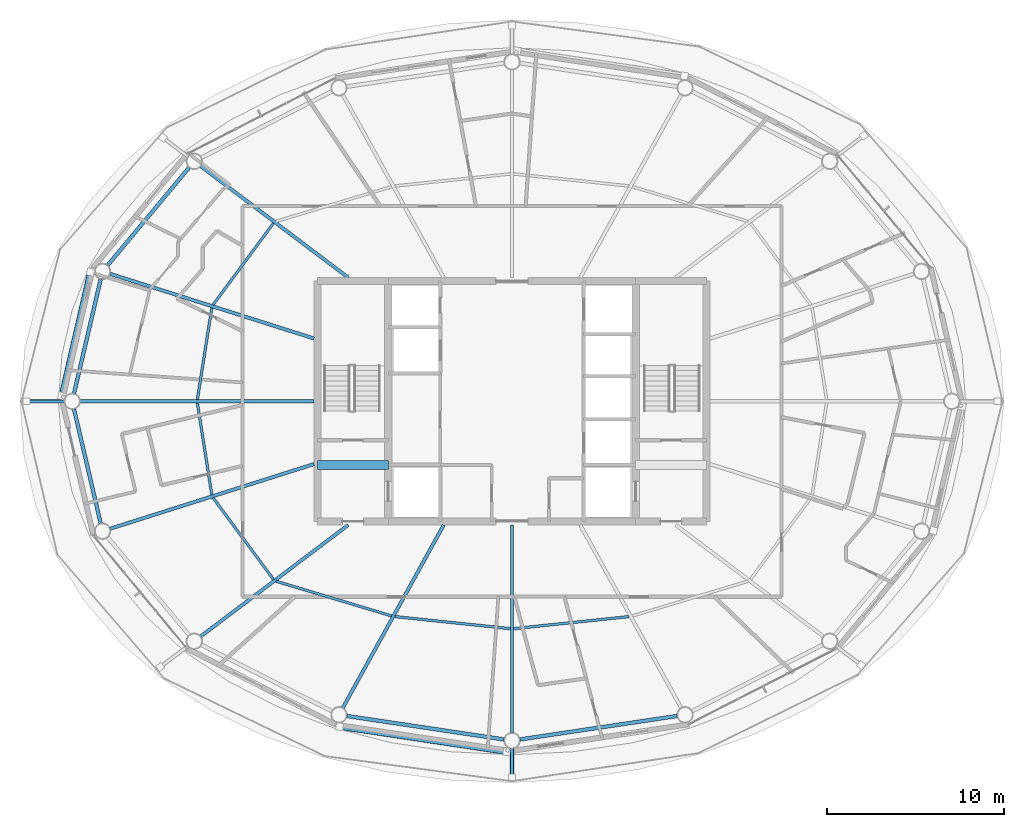
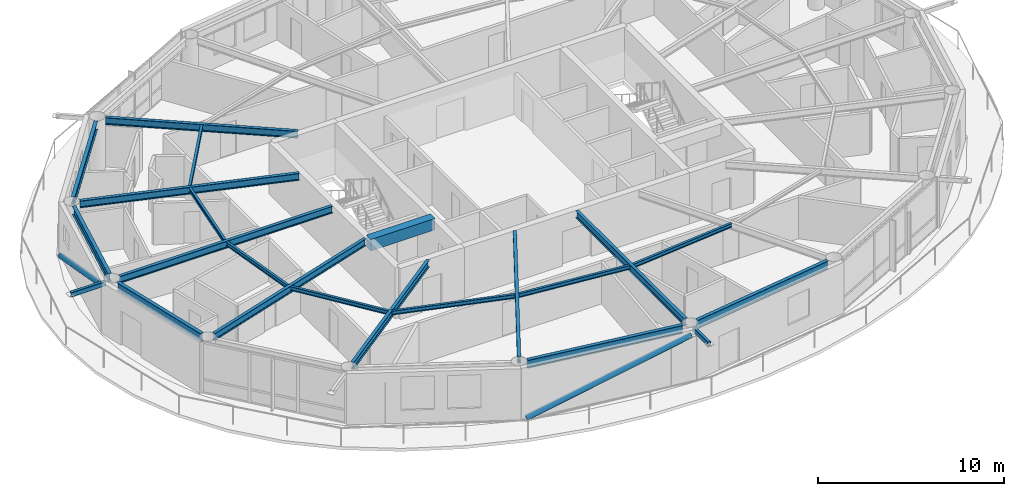
# One storey, part 4 of 22: 20 beams, 4 members.
"""IFC4 building model written with IfcOpenShell, lengths in metres."""

from ifc_helpers import new_model, si_unit, direction, frame, origin, origin_2d, place, context, subcontext, project, spatial, rectangle, hollow_rectangle, hollow_circle, i_section, extrude, material, material_profile, profile_set, type_object, element, save


model = new_model("IFC4")

# Units and contexts
model_context = context("Model", 3, precision=1e-05, world=origin(), true_north=direction((0.0, 1.0)))
body_context = subcontext(model_context, "Body", "Model", "MODEL_VIEW")
ifc_project = project(units=[si_unit("LENGTHUNIT", "METRE"), si_unit("AREAUNIT", "SQUARE_METRE"), si_unit("VOLUMEUNIT", "CUBIC_METRE"), si_unit("PLANEANGLEUNIT", "RADIAN"), si_unit("MASSUNIT", "GRAM", prefix="KILO")], contexts=[model_context])

# Site, building, storey
site_placement = place(None, origin())
site = spatial("IfcSite", under=ifc_project, at=site_placement, CompositionType="ELEMENT")
building_placement = place(site_placement, origin())
building = spatial("IfcBuilding", under=site, at=building_placement, Name="Sarneth Arch Tower", CompositionType="ELEMENT")
storey_placement = place(building_placement, frame((0.0, 0.0, 213.60009765625)))
storey = spatial("IfcBuildingStorey", under=building, at=storey_placement, Name="L54", CompositionType="ELEMENT", Elevation=213.60009765625)

# Beams
ifc_material_1 = material(Name="Steel S355", Category="steel")
ifc_material_profile_1 = material_profile(ifc_material_1, i_section(OverallWidth=0.14794921875, OverallDepth=0.26611328125, WebThickness=0.007568359375, FlangeThickness=0.012939453125, FilletRadius=0.012939453125, at=origin_2d()), Name="W250x44.8")
ifc_profile_set_1 = profile_set([ifc_material_profile_1], Name="Steel S355")
beam_type_1 = type_object("IfcBeamType", Name="BM-JOIST-250", PredefinedType="JOIST", material=ifc_profile_set_1)
beam_1_placement = place(storey_placement, frame((34.5009765625, 52.075439453125, 3.226806640625), z_axis=(-0.594557229879, -0.804053294501, 0.0), x_axis=(0.804053294501, -0.594557229879, 0.0)))
element("IfcBeam", 1, at=beam_1_placement, inside=storey, type_object=beam_type_1, Name="L54 Secondary floor joist 07", PredefinedType="JOIST", context=body_context, shape_type="SweptSolid", body=[
    extrude(i_section(OverallWidth=0.14794921875, OverallDepth=0.26611328125, WebThickness=0.007568359375, FlangeThickness=0.012939453125, FilletRadius=0.012939453125, at=origin_2d()), origin(), (0.0, 0.0, 1.0), 5.74169921875),
])
for number, where, z_axis, x_axis, name in (
    (2, (31.01513671875, 47.286865234375, 3.226806640625), (-0.155421095795, -0.987848309702, 0.0), (0.987848309702, -0.155421095795, 0.0), "L54 Secondary floor joist 08"),
    (3, (30.1982421875, 41.9052734375, 3.226806640625), (0.155421095795, -0.987848309702, 0.0), (0.987848309702, 0.155421095795, 0.0), "L54 Secondary floor joist 09"),
):
    element("IfcBeam", number, at=place(storey_placement, frame(where, z_axis=z_axis, x_axis=x_axis)), inside=storey, type_object=beam_type_1, Name=name, PredefinedType="JOIST", context=body_context, shape_type="SweptSolid", body=[
        extrude(i_section(OverallWidth=0.14794921875, OverallDepth=0.26611328125, WebThickness=0.007568359375, FlangeThickness=0.012939453125, FilletRadius=0.012939453125, at=origin_2d()), origin(), (0.0, 0.0, 1.0), 5.256103515625),
    ])
beam_2_placement = place(storey_placement, frame((31.087158203125, 36.541259765625, 3.226806640625), z_axis=(0.594557229879, -0.804053294501, 0.0), x_axis=(0.804053294501, 0.594557229879, 0.0)))
element("IfcBeam", 4, at=beam_2_placement, inside=storey, type_object=beam_type_1, Name="L54 Secondary floor joist 10", PredefinedType="JOIST", context=body_context, shape_type="SweptSolid", body=[
    extrude(i_section(OverallWidth=0.14794921875, OverallDepth=0.26611328125, WebThickness=0.007568359375, FlangeThickness=0.012939453125, FilletRadius=0.012939453125, at=origin_2d()), origin(), (0.0, 0.0, 1.0), 5.74169921875),
])
beam_3_placement = place(storey_placement, frame((34.64990234375, 31.81982421875, 3.226806640625), z_axis=(0.957725851155, -0.287682453461, 0.0), x_axis=(0.287682453461, 0.957725851155, 0.0)))
element("IfcBeam", 5, at=beam_3_placement, inside=storey, type_object=beam_type_1, Name="L54 Secondary floor joist 11", PredefinedType="JOIST", context=body_context, shape_type="SweptSolid", body=[
    extrude(i_section(OverallWidth=0.14794921875, OverallDepth=0.26611328125, WebThickness=0.007568359375, FlangeThickness=0.012939453125, FilletRadius=0.012939453125, at=origin_2d()), origin(), (0.0, 0.0, 1.0), 6.828125),
])
for number, where, z_axis, x_axis, name in (
    (6, (41.376953125, 29.81787109375, 3.226806640625), (0.994572713015, -0.104043829835, 0.0), (0.104043829835, 0.994572713015, 0.0), "L54 Secondary floor joist 12"),
    (7, (48.095458984375, 29.135009765625, 3.226806640625), (0.994572713015, 0.104043829835, 0.0), (-0.104043829835, 0.994572713015, 0.0), "L54 Secondary floor joist 13"),
):
    element("IfcBeam", number, at=place(storey_placement, frame(where, z_axis=z_axis, x_axis=x_axis)), inside=storey, type_object=beam_type_1, Name=name, PredefinedType="JOIST", context=body_context, shape_type="SweptSolid", body=[
        extrude(i_section(OverallWidth=0.14794921875, OverallDepth=0.26611328125, WebThickness=0.007568359375, FlangeThickness=0.012939453125, FilletRadius=0.012939453125, at=origin_2d()), origin(), (0.0, 0.0, 1.0), 6.563232421875),
    ])
ifc_material_2 = material(Name="Concrete C50/60", Category="concrete")
ifc_material_profile_2 = material_profile(ifc_material_2, rectangle(XDim=0.5, YDim=0.75, at=origin_2d()), Name="RC-500x750")
ifc_profile_set_2 = profile_set([ifc_material_profile_2], Name="Concrete C50/60")
beam_type_2 = type_object("IfcBeamType", Name="BM-LINTEL-RC", PredefinedType="LINTEL", material=ifc_profile_set_2)
beam_4_placement = place(storey_placement, frame((37.0, 38.39990234375, 2.98486328125), z_axis=(1.0, 0.0, 0.0), x_axis=(0.0, 1.0, 0.0)))
element("IfcBeam", 8, at=beam_4_placement, inside=storey, type_object=beam_type_2, Name="L54 Core coupling lintel W", PredefinedType="LINTEL", context=body_context, shape_type="SweptSolid", body=[
    extrude(rectangle(XDim=0.5, YDim=0.75, at=origin_2d()), origin(), (0.0, 0.0, 1.0), 4.0),
])
ifc_material_3 = material(Name="Steel S355", Category="steel")
ifc_material_profile_3 = material_profile(ifc_material_3, i_section(OverallWidth=0.19189453125, OverallDepth=0.462890625, WebThickness=0.010498046875, FlangeThickness=0.017578125, FilletRadius=0.01806640625, at=origin_2d()), Name="W460x89")
ifc_profile_set_3 = profile_set([ifc_material_profile_3], Name="Steel S355")
beam_type_3 = type_object("IfcBeamType", Name="BM-RAD-460B", PredefinedType="BEAM", material=ifc_profile_set_3)
beam_5_placement = place(storey_placement, frame((38.73193359375, 49.0, 3.12841796875), z_axis=(-0.79797356997, 0.602692443647, 0.0), x_axis=(-0.602692443647, -0.79797356997, 0.0)))
element("IfcBeam", 9, at=beam_5_placement, inside=storey, type_object=beam_type_3, Name="L54 Radial floor girder 07", PredefinedType="BEAM", context=body_context, shape_type="SweptSolid", body=[
    extrude(i_section(OverallWidth=0.19189453125, OverallDepth=0.462890625, WebThickness=0.010498046875, FlangeThickness=0.017578125, FilletRadius=0.01806640625, at=origin_2d()), origin(), (0.0, 0.0, 1.0), 10.461669921875),
])
beam_6_placement = place(storey_placement, frame((36.800048828125, 45.5517578125, 3.12841796875), z_axis=(-0.953215615433, 0.302291234563, 0.0), x_axis=(-0.302291234563, -0.953215615433, 0.0)))
element("IfcBeam", 10, at=beam_6_placement, inside=storey, type_object=beam_type_3, Name="L54 Radial floor girder 08", PredefinedType="BEAM", context=body_context, shape_type="SweptSolid", body=[
    extrude(i_section(OverallWidth=0.19189453125, OverallDepth=0.462890625, WebThickness=0.010498046875, FlangeThickness=0.017578125, FilletRadius=0.01806640625, at=origin_2d()), origin(), (0.0, 0.0, 1.0), 12.1064453125),
])
beam_7_placement = place(storey_placement, frame((36.800048828125, 42.0, 3.12841796875), z_axis=(-1.0, 0.0, 0.0), x_axis=(0.0, -1.0, 0.0)))
element("IfcBeam", 11, at=beam_7_placement, inside=storey, type_object=beam_type_3, Name="L54 Radial floor girder 09", PredefinedType="BEAM", context=body_context, shape_type="SweptSolid", body=[
    extrude(i_section(OverallWidth=0.19189453125, OverallDepth=0.462890625, WebThickness=0.010498046875, FlangeThickness=0.017578125, FilletRadius=0.01806640625, at=origin_2d()), origin(), (0.0, 0.0, 1.0), 13.233154296875),
])
beam_8_placement = place(storey_placement, frame((36.800048828125, 38.4482421875, 3.12841796875), z_axis=(-0.953215615433, -0.302291234563, 0.0), x_axis=(0.302291234563, -0.953215615433, 0.0)))
element("IfcBeam", 12, at=beam_8_placement, inside=storey, type_object=beam_type_3, Name="L54 Radial floor girder 10", PredefinedType="BEAM", context=body_context, shape_type="SweptSolid", body=[
    extrude(i_section(OverallWidth=0.19189453125, OverallDepth=0.462890625, WebThickness=0.010498046875, FlangeThickness=0.017578125, FilletRadius=0.01806640625, at=origin_2d()), origin(), (0.0, 0.0, 1.0), 12.1064453125),
])
beam_9_placement = place(storey_placement, frame((38.73193359375, 35.0, 3.12841796875), z_axis=(-0.79797356997, -0.602692443647, 0.0), x_axis=(0.602692443647, -0.79797356997, 0.0)))
element("IfcBeam", 13, at=beam_9_placement, inside=storey, type_object=beam_type_3, Name="L54 Radial floor girder 11", PredefinedType="BEAM", context=body_context, shape_type="SweptSolid", body=[
    extrude(i_section(OverallWidth=0.19189453125, OverallDepth=0.462890625, WebThickness=0.010498046875, FlangeThickness=0.017578125, FilletRadius=0.01806640625, at=origin_2d()), origin(), (0.0, 0.0, 1.0), 10.461669921875),
])
beam_10_placement = place(storey_placement, frame((44.13623046875, 35.0, 3.12841796875), z_axis=(-0.483218265038, -0.875499919094, 0.0), x_axis=(0.875499919094, -0.483218265038, 0.0)))
element("IfcBeam", 14, at=beam_10_placement, inside=storey, type_object=beam_type_3, Name="L54 Radial floor girder 12", PredefinedType="BEAM", context=body_context, shape_type="SweptSolid", body=[
    extrude(i_section(OverallWidth=0.19189453125, OverallDepth=0.462890625, WebThickness=0.010498046875, FlangeThickness=0.017578125, FilletRadius=0.01806640625, at=origin_2d()), origin(), (0.0, 0.0, 1.0), 11.8154296875),
])
beam_11_placement = place(storey_placement, frame((48.0, 35.0, 3.12841796875), z_axis=(0.0, -1.0, 0.0), x_axis=(1.0, 0.0, 0.0)))
element("IfcBeam", 15, at=beam_11_placement, inside=storey, type_object=beam_type_3, Name="L54 Radial floor girder 13", PredefinedType="BEAM", context=body_context, shape_type="SweptSolid", body=[
    extrude(i_section(OverallWidth=0.19189453125, OverallDepth=0.462890625, WebThickness=0.010498046875, FlangeThickness=0.017578125, FilletRadius=0.01806640625, at=origin_2d()), origin(), (0.0, 0.0, 1.0), 11.75),
])
ifc_material_4 = material(Name="Steel S355", Category="steel")
ifc_material_profile_4 = material_profile(ifc_material_4, i_section(OverallWidth=0.2109375, OverallDepth=0.5390625, WebThickness=0.01171875, FlangeThickness=0.018798828125, FilletRadius=0.01806640625, at=origin_2d()), Name="W530x109")
ifc_profile_set_4 = profile_set([ifc_material_profile_4], Name="Steel S355")
beam_type_4 = type_object("IfcBeamType", Name="BM-RAD-530B", PredefinedType="BEAM", material=ifc_profile_set_4)
beam_12_placement = place(storey_placement, frame((29.736572265625, 55.230712890625, 3.09033203125), z_axis=(-0.640390876881, -0.768049168222, 0.0), x_axis=(0.768049168222, -0.640390876881, 0.0)))
element("IfcBeam", 16, at=beam_12_placement, inside=storey, type_object=beam_type_4, Name="L54 Perimeter spandrel beam 07", PredefinedType="BEAM", context=body_context, shape_type="SweptSolid", body=[
    extrude(i_section(OverallWidth=0.2109375, OverallDepth=0.5390625, WebThickness=0.01171875, FlangeThickness=0.018798828125, FilletRadius=0.01806640625, at=origin_2d()), origin(), (0.0, 0.0, 1.0), 7.2099609375),
])
for number, where, z_axis, x_axis, name in (
    (17, (24.72900390625, 48.9091796875, 3.09033203125), (-0.227247037844, -0.973837144389, 0.0), (0.973837144389, -0.227247037844, 0.0), "L54 Perimeter spandrel beam 08"),
    (18, (23.218994140625, 41.561767578125, 3.09033203125), (0.227247037844, -0.973837144389, 0.0), (0.973837144389, 0.227247037844, 0.0), "L54 Perimeter spandrel beam 09"),
):
    element("IfcBeam", number, at=place(storey_placement, frame(where, z_axis=z_axis, x_axis=x_axis)), inside=storey, type_object=beam_type_4, Name=name, PredefinedType="BEAM", context=body_context, shape_type="SweptSolid", body=[
        extrude(i_section(OverallWidth=0.2109375, OverallDepth=0.5390625, WebThickness=0.01171875, FlangeThickness=0.018798828125, FilletRadius=0.01806640625, at=origin_2d()), origin(), (0.0, 0.0, 1.0), 6.644775390625),
    ])
for number, where, z_axis, x_axis, name in (
    (19, (38.654296875, 24.195068359375, 3.09033203125), (0.989041765772, -0.147635990052, 0.0), (0.147635990052, 0.989041765772, 0.0), "L54 Perimeter spandrel beam 12"),
    (20, (48.445068359375, 22.866455078125, 3.09033203125), (0.989041765772, 0.147635990052, 0.0), (-0.147635990052, 0.989041765772, 0.0), "L54 Perimeter spandrel beam 13"),
):
    element("IfcBeam", number, at=place(storey_placement, frame(where, z_axis=z_axis, x_axis=x_axis)), inside=storey, type_object=beam_type_4, Name=name, PredefinedType="BEAM", context=body_context, shape_type="SweptSolid", body=[
        extrude(i_section(OverallWidth=0.2109375, OverallDepth=0.5390625, WebThickness=0.01171875, FlangeThickness=0.018798828125, FilletRadius=0.01806640625, at=origin_2d()), origin(), (0.0, 0.0, 1.0), 8.999267578125),
    ])

# Members
ifc_material_5 = material(Name="Steel S355", Category="steel")
ifc_material_profile_5 = material_profile(ifc_material_5, hollow_rectangle(XDim=0.199951171875, YDim=0.300048828125, WallThickness=0.012451171875, InnerFilletRadius=0.018798828125, OuterFilletRadius=0.03125, at=origin_2d()), Name="RHS300x200x12.5")
ifc_profile_set_5 = profile_set([ifc_material_profile_5], Name="Steel S355")
member_type_1 = type_object("IfcMemberType", Name="MEM-CANT-STRUT", PredefinedType="STRUT", material=ifc_profile_set_5)
member_1_placement = place(storey_placement, frame((22.666748046875, 42.0, 3.199951171875), z_axis=(-1.0, 0.0, 0.0), x_axis=(0.0, -1.0, 0.0)))
element("IfcMember", 21, at=member_1_placement, inside=storey, type_object=member_type_1, Name="L54 Balcony cantilever bracket 09", PredefinedType="STRUT", context=body_context, shape_type="SweptSolid", body=[
    extrude(hollow_rectangle(XDim=0.199951171875, YDim=0.300048828125, WallThickness=0.012451171875, InnerFilletRadius=0.018798828125, OuterFilletRadius=0.03125, at=origin_2d()), origin(), (0.0, 0.0, 1.0), 2.13330078125),
])
member_2_placement = place(storey_placement, frame((48.0, 22.35009765625, 3.199951171875), z_axis=(0.0, -1.0, 0.0), x_axis=(1.0, 0.0, 0.0)))
element("IfcMember", 22, at=member_2_placement, inside=storey, type_object=member_type_1, Name="L54 Balcony cantilever bracket 13", PredefinedType="STRUT", context=body_context, shape_type="SweptSolid", body=[
    extrude(hollow_rectangle(XDim=0.199951171875, YDim=0.300048828125, WallThickness=0.012451171875, InnerFilletRadius=0.018798828125, OuterFilletRadius=0.03125, at=origin_2d()), origin(), (0.0, 0.0, 1.0), 1.61669921875),
])
ifc_material_6 = material(Name="Steel S355", Category="steel")
ifc_material_profile_6 = material_profile(ifc_material_6, hollow_circle(Radius=0.162109375, WallThickness=0.012451171875, at=origin_2d()), Name="CHS324x12.5")
ifc_profile_set_6 = profile_set([ifc_material_profile_6], Name="Steel S355")
member_type_2 = type_object("IfcMemberType", Name="MEM-DIAG-BR3", PredefinedType="BRACE", material=ifc_profile_set_6)
member_3_placement = place(storey_placement, frame((24.148193359375, 49.3154296875, 0.02001953125), z_axis=(-0.207917989892, -0.898749333617, 0.386030756289), x_axis=(0.974268900284, -0.225388797281, 0.0)))
element("IfcMember", 23, at=member_3_placement, inside=storey, type_object=member_type_2, Name="L54 Perimeter frame diagonal 08", PredefinedType="BRACE", context=body_context, shape_type="SweptSolid", body=[
    extrude(hollow_circle(Radius=0.162109375, WallThickness=0.012451171875, at=origin_2d()), origin(), (0.0, 0.0, 1.0), 7.814453125),
])
member_4_placement = place(storey_placement, frame((38.245849609375, 23.588623046875, 0.02001953125), z_axis=(0.943056107878, -0.142001297879, 0.300800280576), x_axis=(0.148897148305, 0.988852688335, 0.0)))
element("IfcMember", 24, at=member_4_placement, inside=storey, type_object=member_type_2, Name="L54 Perimeter frame diagonal 12", PredefinedType="BRACE", context=body_context, shape_type="SweptSolid", body=[
    extrude(hollow_circle(Radius=0.162109375, WallThickness=0.012451171875, at=origin_2d()), origin(), (0.0, 0.0, 1.0), 10.028564453125),
])

save(model, "model.ifc")
